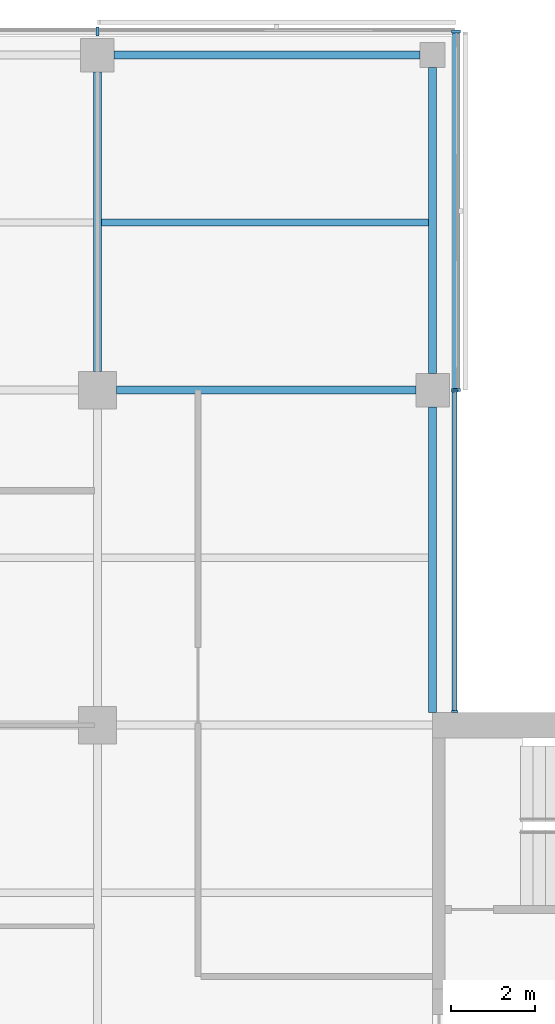
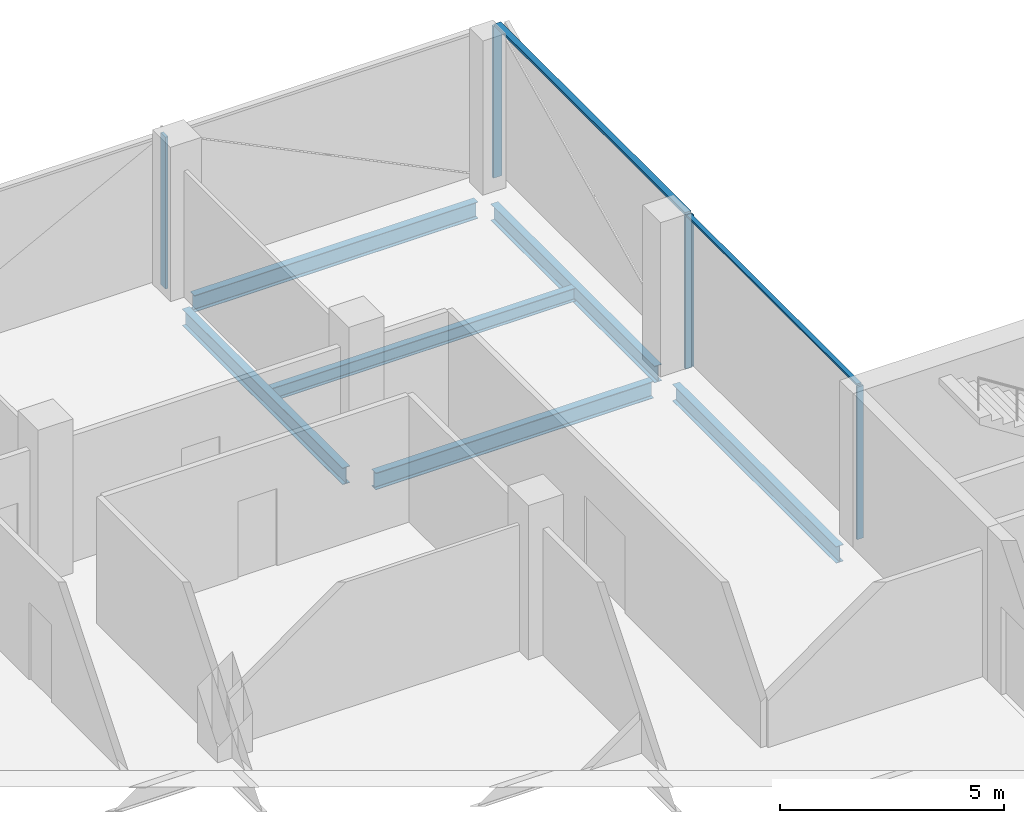
# One storey, part 7 of 15: 7 members, 6 beams, 3 elements without a shape of their own.
"""IFC4 building model written with IfcOpenShell, lengths in metres."""

from ifc_helpers import new_model, si_unit, direction, frame, origin, origin_2d, place, context, subcontext, project, spatial, rectangle, i_section, extrude, material, material_profile, profile_set, type_object, element, aggregate, save


model = new_model("IFC4")

# Units and contexts
model_context = context("Model", 3, precision=1e-05, world=origin(), true_north=direction((0.0, 1.0)))
body_context = subcontext(model_context, "Body", "Model", "MODEL_VIEW")
ifc_project = project(units=[si_unit("LENGTHUNIT", "METRE"), si_unit("AREAUNIT", "SQUARE_METRE"), si_unit("VOLUMEUNIT", "CUBIC_METRE"), si_unit("PLANEANGLEUNIT", "RADIAN"), si_unit("MASSUNIT", "GRAM", prefix="KILO")], contexts=[model_context])

# Site, building, storey
site_placement = place(None, origin())
site = spatial("IfcSite", under=ifc_project, at=site_placement, CompositionType="ELEMENT")
building_placement = place(site_placement, origin())
building = spatial("IfcBuilding", under=site, at=building_placement, Name="Crosswind Convention Tower", CompositionType="ELEMENT")
storey_placement = place(building_placement, frame((0.0, 0.0, 187.300048828125)))
storey = spatial("IfcBuildingStorey", under=building, at=storey_placement, Name="L39", CompositionType="ELEMENT", Elevation=187.300048828125)

# Beams
ifc_material_1 = material(Name="Steel S355", Category="steel")
ifc_material_profile_1 = material_profile(ifc_material_1, i_section(OverallWidth=0.18994140625, OverallDepth=0.45361328125, WebThickness=0.008544921875, FlangeThickness=0.0126953125, FilletRadius=0.01025390625, at=origin_2d()), Name="UB 457x191x67")
ifc_profile_set_1 = profile_set([ifc_material_profile_1], Name="Steel S355")
beam_type_1 = type_object("IfcBeamType", Name="Edge beam UB 457x191x67", PredefinedType="SPANDREL", material=ifc_profile_set_1)
for number, where, z_axis, x_axis, name in (
    (1, (129.39990234375, 128.0, -0.52685546875), (1.0, 0.0, 0.0), (0.0, 1.0, 0.0), "B16 L39 edge beam 10"),
    (2, (137.0, 112.300048828125, -0.52685546875), (0.0, 1.0, 0.0), (-1.0, 0.0, 0.0), "B16 L39 edge beam 13"),
    (3, (137.0, 120.39990234375, -0.52685546875), (0.0, 1.0, 0.0), (-1.0, 0.0, 0.0), "B16 L39 edge beam 14"),
):
    element("IfcBeam", number, at=place(storey_placement, frame(where, z_axis=z_axis, x_axis=x_axis)), inside=storey, type_object=beam_type_1, Name=name, PredefinedType="SPANDREL", context=body_context, shape_type="SweptSolid", body=[
        extrude(i_section(OverallWidth=0.18994140625, OverallDepth=0.45361328125, WebThickness=0.008544921875, FlangeThickness=0.0126953125, FilletRadius=0.01025390625, at=origin_2d()), origin(), (0.0, 0.0, 1.0), 7.300048828125),
    ])
ifc_material_profile_2 = material_profile(ifc_material_1, i_section(OverallWidth=0.1904296875, OverallDepth=0.457275390625, WebThickness=0.009033203125, FlangeThickness=0.014404296875, FilletRadius=0.01025390625, at=origin_2d()), Name="UB 457x191x75")
ifc_profile_set_2 = profile_set([ifc_material_profile_2], Name="Steel S355")
beam_type_2 = type_object("IfcBeamType", Name="Girder UB 457x191x75", PredefinedType="BEAM", material=ifc_profile_set_2)
for number, where, z_axis, x_axis, name in (
    (4, (129.0, 120.449951171875, -0.528564453125), (0.0, 1.0, 0.0), (-1.0, 0.0, 0.0), "B2 L39 girder 22"),
    (5, (129.449951171875, 120.0, -0.528564453125), (1.0, 0.0, 0.0), (0.0, 1.0, 0.0), "B2 L39 girder 24"),
):
    element("IfcBeam", number, at=place(storey_placement, frame(where, z_axis=z_axis, x_axis=x_axis)), inside=storey, type_object=beam_type_2, Name=name, PredefinedType="BEAM", context=body_context, shape_type="SweptSolid", body=[
        extrude(i_section(OverallWidth=0.1904296875, OverallDepth=0.457275390625, WebThickness=0.009033203125, FlangeThickness=0.014404296875, FilletRadius=0.01025390625, at=origin_2d()), origin(), (0.0, 0.0, 1.0), 7.150146484375),
    ])

# Curtain wall, members
ifc_material_2 = material(Name="Aluminium unitised curtain wall", Category="aluminium")
curtain_wall_type_1 = type_object("IfcCurtainWallType", Name="CORE END SLOT WALL 160", PredefinedType="USERDEFINED", material=ifc_material_2)
curtain_wall_1_placement = place(storey_placement, origin())
curtain_wall_1 = element("IfcCurtainWall", 6, at=curtain_wall_1_placement, inside=storey, type_object=curtain_wall_type_1, Name="CW6 L39 N-E.1-1 slot", ObjectType="UNITISED", PredefinedType="USERDEFINED")
ifc_material_3 = material(Name="Aluminium mullion", Category="aluminium")
ifc_material_profile_3 = material_profile(ifc_material_3, rectangle(XDim=0.159912109375, YDim=0.050048828125, at=origin_2d()), Name="AL 160X50")
ifc_profile_set_3 = profile_set([ifc_material_profile_3], Name="Aluminium mullion")
member_type_1 = type_object("IfcMemberType", Name="MULLION 50X160", PredefinedType="MULLION", material=ifc_profile_set_3)
member_1_placement = place(storey_placement, frame((137.530029296875, 112.324951171875, -0.300048828125), z_axis=(0.0, 0.0, 1.0), x_axis=(1.0, 0.0, 0.0)))
member_1 = element("IfcMember", 7, at=member_1_placement, type_object=member_type_1, Name="CW6 mullion 1", PredefinedType="MULLION", context=body_context, shape_type="SweptSolid", body=[
    extrude(rectangle(XDim=0.159912109375, YDim=0.050048828125, at=origin_2d()), origin(), (0.0, 0.0, 1.0), 4.14990234375),
])
member_2_placement = place(storey_placement, frame((137.530029296875, 119.97509765625, -0.300048828125), z_axis=(0.0, 0.0, 1.0), x_axis=(1.0, 0.0, 0.0)))
member_2 = element("IfcMember", 8, at=member_2_placement, type_object=member_type_1, Name="CW6 mullion 2", PredefinedType="MULLION", context=body_context, shape_type="SweptSolid", body=[
    extrude(rectangle(XDim=0.159912109375, YDim=0.050048828125, at=origin_2d()), origin(), (0.0, 0.0, 1.0), 4.14990234375),
])

curtain_wall_type_2 = type_object("IfcCurtainWallType", Name="OFFICE UNITISED WALL 220", PredefinedType="USERDEFINED", material=ifc_material_2)
curtain_wall_2_placement = place(storey_placement, origin())
curtain_wall_2 = element("IfcCurtainWall", 9, at=curtain_wall_2_placement, inside=storey, type_object=curtain_wall_type_2, Name="CW3 L39 N-E 1", ObjectType="UNITISED", PredefinedType="USERDEFINED")
ifc_material_profile_4 = material_profile(ifc_material_3, rectangle(XDim=0.219970703125, YDim=0.070068359375, at=origin_2d()), Name="AL 220X70")
ifc_profile_set_4 = profile_set([ifc_material_profile_4], Name="Aluminium mullion")
member_type_2 = type_object("IfcMemberType", Name="MULLION 70X220", PredefinedType="MULLION", material=ifc_profile_set_4)
member_3_placement = place(storey_placement, frame((137.56005859375, 120.0, -0.300048828125), z_axis=(0.0, 0.0, 1.0), x_axis=(1.0, 0.0, 0.0)))
member_3 = element("IfcMember", 10, at=member_3_placement, type_object=member_type_2, Name="CW3 mullion 1", PredefinedType="MULLION", context=body_context, shape_type="SweptSolid", body=[
    extrude(rectangle(XDim=0.219970703125, YDim=0.070068359375, at=origin_2d()), origin(), (0.0, 0.0, 1.0), 4.1298828125),
])
member_4_placement = place(storey_placement, frame((137.56005859375, 128.56005859375, -0.300048828125), z_axis=(0.0, 0.0, 1.0), x_axis=(1.0, 0.0, 0.0)))
member_4 = element("IfcMember", 11, at=member_4_placement, type_object=member_type_2, Name="CW3 mullion 2", PredefinedType="MULLION", context=body_context, shape_type="SweptSolid", body=[
    extrude(rectangle(XDim=0.219970703125, YDim=0.070068359375, at=origin_2d()), origin(), (0.0, 0.0, 1.0), 4.1298828125),
])

# Curtain wall, member
curtain_wall_3_placement = place(storey_placement, origin())
curtain_wall_3 = element("IfcCurtainWall", 12, at=curtain_wall_3_placement, inside=storey, type_object=curtain_wall_type_2, Name="CW3 L39 N-TIP 1", ObjectType="UNITISED", PredefinedType="USERDEFINED")
member_5_placement = place(storey_placement, frame((129.0, 128.56005859375, -0.300048828125), z_axis=(0.0, 0.0, 1.0), x_axis=(0.0, 1.0, 0.0)))
member_5 = element("IfcMember", 13, at=member_5_placement, type_object=member_type_2, Name="CW3 mullion 2", PredefinedType="MULLION", context=body_context, shape_type="SweptSolid", body=[
    extrude(rectangle(XDim=0.219970703125, YDim=0.070068359375, at=origin_2d()), origin(), (0.0, 0.0, 1.0), 4.1298828125),
])
aggregate(curtain_wall_3, [member_5])

# Beam
ifc_material_profile_5 = material_profile(ifc_material_1, i_section(OverallWidth=0.172119140625, OverallDepth=0.358642578125, WebThickness=0.008056640625, FlangeThickness=0.012939453125, FilletRadius=0.01025390625, at=origin_2d()), Name="UB 356x171x57")
ifc_profile_set_5 = profile_set([ifc_material_profile_5], Name="Steel S355")
beam_type_3 = type_object("IfcBeamType", Name="Secondary beam UB 356x171x57", PredefinedType="JOIST", material=ifc_profile_set_5)
beam_placement = place(storey_placement, frame((129.09521484375, 124.0, -0.479248046875), z_axis=(1.0, 0.0, 0.0), x_axis=(0.0, 1.0, 0.0)))
element("IfcBeam", 14, at=beam_placement, inside=storey, type_object=beam_type_3, Name="B9 L39 secondary beam 21", PredefinedType="JOIST", context=body_context, shape_type="SweptSolid", body=[
    extrude(i_section(OverallWidth=0.172119140625, OverallDepth=0.358642578125, WebThickness=0.008056640625, FlangeThickness=0.012939453125, FilletRadius=0.01025390625, at=origin_2d()), origin(), (0.0, 0.0, 1.0), 7.809814453125),
])

# Member
ifc_material_4 = material(Name="Aluminium transom", Category="aluminium")
ifc_material_profile_6 = material_profile(ifc_material_4, rectangle(XDim=0.1201171875, YDim=0.050048828125, at=origin_2d()), Name="AL 120X50")
ifc_profile_set_6 = profile_set([ifc_material_profile_6], Name="Aluminium transom")
member_type_3 = type_object("IfcMemberType", Name="TRANSOM 50X120", PredefinedType="USERDEFINED", material=ifc_profile_set_6)
member_6_placement = place(storey_placement, frame((137.530029296875, 112.35009765625, 3.875), z_axis=(0.0, 1.0, 0.0), x_axis=(-1.0, 0.0, 0.0)))
member_6 = element("IfcMember", 15, at=member_6_placement, type_object=member_type_3, Name="CW6 transom", ObjectType="TRANSOM", PredefinedType="USERDEFINED", context=body_context, shape_type="SweptSolid", body=[
    extrude(rectangle(XDim=0.1201171875, YDim=0.050048828125, at=origin_2d()), origin(), (0.0, 0.0, 1.0), 7.599853515625),
])

aggregate(curtain_wall_1, [member_1, member_2, member_6])

ifc_material_profile_7 = material_profile(ifc_material_4, rectangle(XDim=0.159912109375, YDim=0.070068359375, at=origin_2d()), Name="AL 160X70")
ifc_profile_set_7 = profile_set([ifc_material_profile_7], Name="Aluminium transom")
member_type_4 = type_object("IfcMemberType", Name="TRANSOM 70X160", PredefinedType="USERDEFINED", material=ifc_profile_set_7)
member_7_placement = place(storey_placement, frame((137.56005859375, 120.034912109375, 3.864990234375), z_axis=(0.0, 1.0, 0.0), x_axis=(-1.0, 0.0, 0.0)))
member_7 = element("IfcMember", 16, at=member_7_placement, type_object=member_type_4, Name="CW3 transom", ObjectType="TRANSOM", PredefinedType="USERDEFINED", context=body_context, shape_type="SweptSolid", body=[
    extrude(rectangle(XDim=0.159912109375, YDim=0.070068359375, at=origin_2d()), origin(), (0.0, 0.0, 1.0), 8.489990234375),
])

aggregate(curtain_wall_2, [member_3, member_4, member_7])

save(model, "model.ifc")
